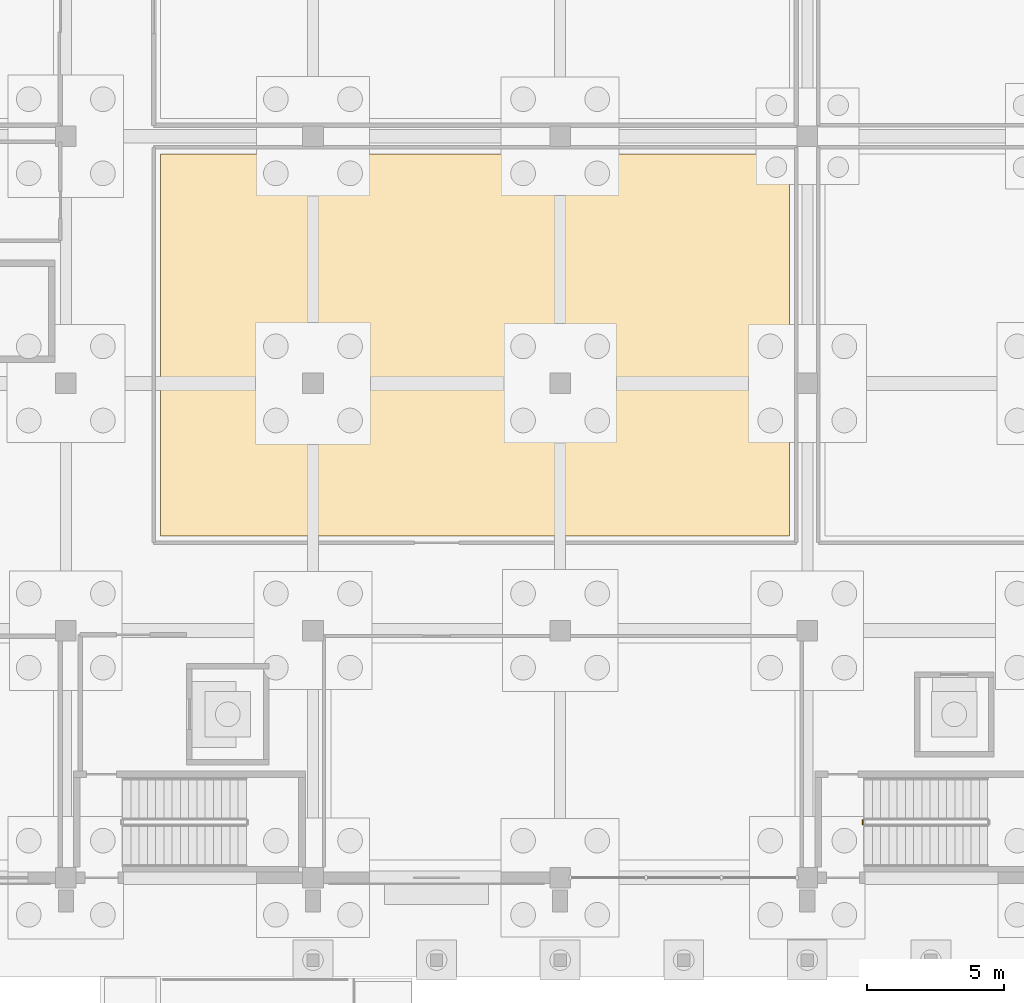
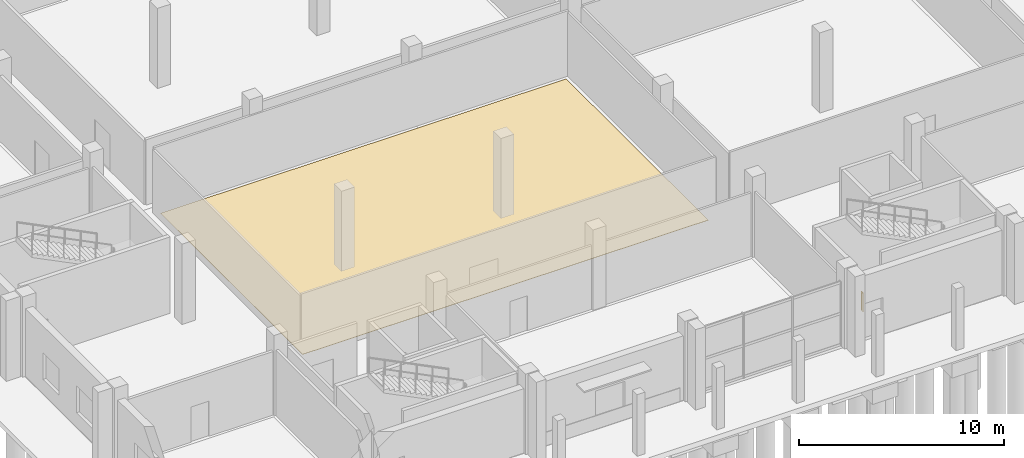
# One storey, part 90 of 112: 1 covering, 1 railing.
"""IFC4 building model written with IfcOpenShell, lengths in metres."""

from ifc_helpers import new_model, si_unit, direction, frame, origin, origin_2d, place, context, subcontext, project, spatial, polyline, circle, outline, extrude, material, layer, layer_set, type_object, element, save


model = new_model("IFC4")

# Units and contexts
model_context = context("Model", 3, precision=1e-05, world=origin(), true_north=direction((0.0, 1.0)))
body_context = subcontext(model_context, "Body", "Model", "MODEL_VIEW")
ifc_project = project(units=[si_unit("LENGTHUNIT", "METRE"), si_unit("AREAUNIT", "SQUARE_METRE"), si_unit("VOLUMEUNIT", "CUBIC_METRE"), si_unit("PLANEANGLEUNIT", "RADIAN"), si_unit("MASSUNIT", "GRAM", prefix="KILO")], contexts=[model_context])

# Site, building, storey
site_placement = place(None, origin())
site = spatial("IfcSite", under=ifc_project, at=site_placement, CompositionType="ELEMENT")
building_placement = place(site_placement, origin())
building = spatial("IfcBuilding", under=site, at=building_placement, Name="Tharagai Park Tramway Depot", CompositionType="ELEMENT")
storey_placement = place(building_placement, origin())
storey = spatial("IfcBuildingStorey", under=building, at=storey_placement, Name="L00", CompositionType="ELEMENT", Elevation=0.0)

# Covering
ifc_material_1 = material(Name="Terracotta floor tile", Category="masonry")
ifc_layer = layer(ifc_material_1, 0.02001953125)
ifc_layer_set = layer_set([ifc_layer], Name="Terracotta floor tile")
covering_type = type_object("IfcCoveringType", Name="FN-01", PredefinedType="FLOORING", material=ifc_layer_set)
covering_placement = place(storey_placement, origin())
element("IfcCovering", 1, at=covering_placement, inside=storey, type_object=covering_type, Name="Male Crew Lockers and Changing Room Floor Finish", PredefinedType="FLOORING", context=body_context, shape_type="SweptSolid", body=[
    extrude(outline(polyline([(12.449951171875, 12.449951171875), (35.35009765625, 12.449951171875), (35.35009765625, 26.35009765625), (12.449951171875, 26.35009765625), (12.449951171875, 12.449951171875)])), origin(), (0.0, 0.0, 1.0), 0.02001953125),
])

# Railing
ifc_material_2 = material(Name="Galvanised steel", Category="steel")
railing_type = type_object("IfcRailingType", Name="HR-02", PredefinedType="GUARDRAIL", material=ifc_material_2)
railing_placement = place(storey_placement, frame((38.02001953125, 1.949951171875, 0.0)))
element("IfcRailing", 2, at=railing_placement, inside=storey, type_object=railing_type, Name="L00 ST-02 stair guard 4", PredefinedType="GUARDRAIL", context=body_context, shape_type="SweptSolid", body=[
    extrude(circle(Radius=0.02392578125, at=origin_2d()), frame((0.0, 0.0, 1.076171875), z_axis=(0.0, 1.0, 0.0), x_axis=(-1.0, 0.0, 0.0)), (0.0, 0.0, 1.0), 0.150146484375),
    extrude(circle(Radius=0.02099609375, at=origin_2d()), origin(), (0.0, 0.0, 1.0), 1.052001953125),
    extrude(circle(Radius=0.02099609375, at=origin_2d()), frame((0.0, 0.150146484375, 0.0)), (0.0, 0.0, 1.0), 1.052001953125),
])

save(model, "model.ifc")
